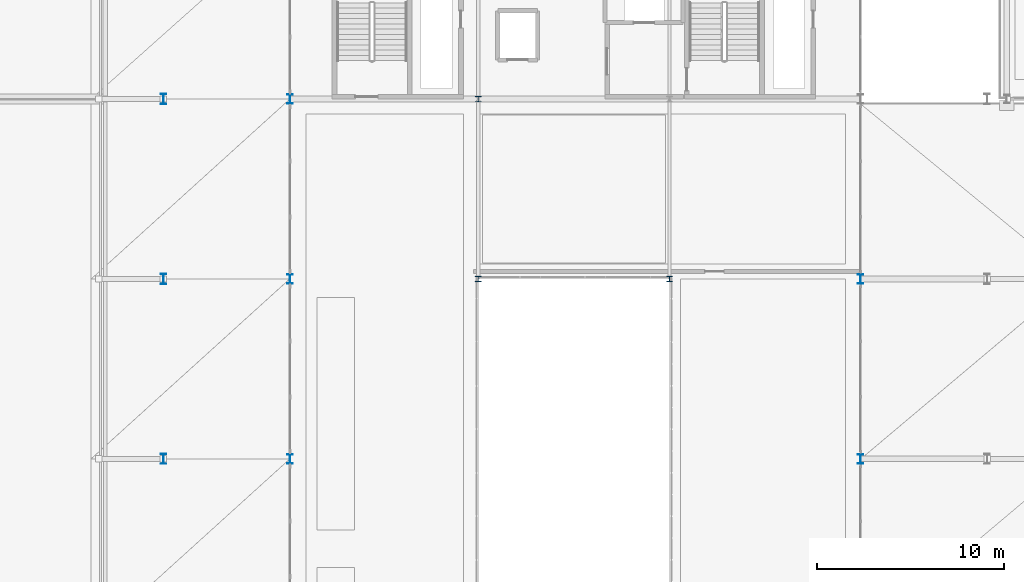
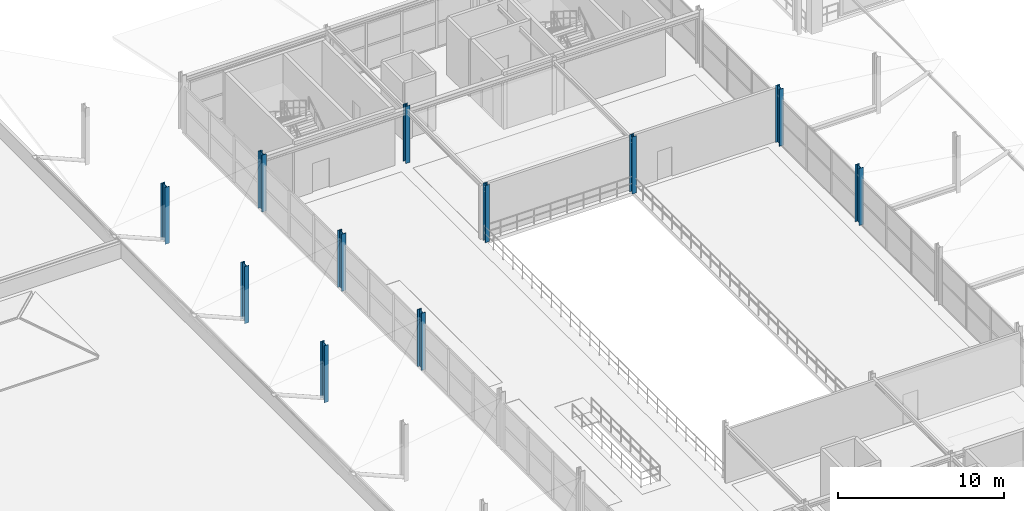
# One storey, part 5 of 81: 11 columns.
"""IFC4 building model written with IfcOpenShell, lengths in metres."""

import ifcopenshell
import ifcopenshell.guid

model = None  # the IFC model being written
_history = None  # IfcOwnerHistory: only IFC2X3 demands one
_inside = {}  # id of a spatial element -> (the spatial element, [elements in it])
_under = {}  # id of a project, library or spatial element -> (it, [spatial elements below it])
_declared = {}  # id of a project -> (the project, [libraries it declares])
_typed = {}  # id of a type object -> (the type object, [elements of that type])
_made_of = {}  # id of a material, layer set ... -> (it, [elements and type objects made of it])


def new_model(schema):
    """Start an empty IFC model of exactly this schema.

    Asked for "IFC4X3", IfcOpenShell would pick the latest addendum, in which some entities
    have other attributes; the version numbers below select the first issue.
    IFC2X3 requires an IfcOwnerHistory on every rooted entity: one is made here for all.
    """
    global model, _history
    if schema == "IFC4X3":
        model = ifcopenshell.file(schema_version=(4, 3, 0, 0))
    else:
        model = ifcopenshell.file(schema=schema)
    _inside.clear()
    _under.clear()
    _declared.clear()
    _typed.clear()
    _made_of.clear()
    _history = None
    if model.schema == "IFC2X3":
        org = make("IfcOrganization", Name="unknown")
        user = make(
            "IfcPersonAndOrganization",
            ThePerson=make("IfcPerson", FamilyName="unknown"),
            TheOrganization=org,
        )
        app = make(
            "IfcApplication",
            ApplicationDeveloper=org,
            Version="unknown",
            ApplicationFullName="unknown",
            ApplicationIdentifier="unknown",
        )
        _history = make(
            "IfcOwnerHistory",
            OwningUser=user,
            OwningApplication=app,
            ChangeAction="ADDED",
            CreationDate=0,
        )
    return model


def make(cls, **values):
    """One entity of the class cls with the attributes given. An attribute that is None is left unset."""
    return model.create_entity(
        cls, **{name: value for name, value in values.items() if value is not None}
    )


def rooted(cls, **values):
    """An entity with a GlobalId (a new one), such as an element, a storey or a relation."""
    return make(cls, GlobalId=ifcopenshell.guid.new(), OwnerHistory=_history, **values)


def si_unit(unit_type, name, prefix=None):
    """IfcSIUnit, for example si_unit("LENGTHUNIT", "METRE", prefix="MILLI")."""
    return make("IfcSIUnit", UnitType=unit_type, Prefix=prefix, Name=name)


def assignment(units):
    """IfcUnitAssignment: the units of a project."""
    return None if units is None else make("IfcUnitAssignment", Units=units)


def point(xyz):
    """IfcCartesianPoint."""
    return None if xyz is None else make("IfcCartesianPoint", Coordinates=xyz)


def direction(xyz):
    """IfcDirection."""
    return None if xyz is None else make("IfcDirection", DirectionRatios=xyz)


def frame(location, z_axis=None, x_axis=None):
    """IfcAxis2Placement3D, a coordinate frame: its origin and axes. An axis left out is left unset."""
    return make(
        "IfcAxis2Placement3D",
        Location=point(location),
        Axis=direction(z_axis),
        RefDirection=direction(x_axis),
    )


def frame_2d(location, x_axis=None):
    """IfcAxis2Placement2D, a coordinate frame in the plane: its origin and x axis."""
    return make(
        "IfcAxis2Placement2D", Location=point(location), RefDirection=direction(x_axis)
    )


def origin():
    """The frame at (0, 0, 0) with its axes left unset."""
    return frame((0.0, 0.0, 0.0))


def origin_2d():
    """The frame at (0, 0) in the plane with its x axis left unset."""
    return frame_2d((0.0, 0.0))


def place(relative_to, where):
    """IfcLocalPlacement: puts the frame where relative to a parent placement (None: the world)."""
    return make(
        "IfcLocalPlacement", PlacementRelTo=relative_to, RelativePlacement=where
    )


def context(
    kind, dimensions, precision=None, world=None, true_north=None, identifier=None
):
    """IfcGeometricRepresentationContext, for example the 3D "Model" context."""
    return make(
        "IfcGeometricRepresentationContext",
        ContextIdentifier=identifier,
        ContextType=kind,
        CoordinateSpaceDimension=dimensions,
        Precision=precision,
        WorldCoordinateSystem=world,
        TrueNorth=true_north,
    )


def subcontext(parent, identifier, kind, view, scale=None):
    """IfcGeometricRepresentationSubContext, for example "Body" below "Model"."""
    return make(
        "IfcGeometricRepresentationSubContext",
        ContextIdentifier=identifier,
        ContextType=kind,
        ParentContext=parent,
        TargetScale=scale,
        TargetView=view,
    )


def project(units=None, contexts=None):
    """IfcProject with its units and contexts."""
    return rooted(
        "IfcProject",
        Name="project",
        RepresentationContexts=contexts,
        UnitsInContext=assignment(units),
    )


def spatial(cls, under=None, at=None, **own):
    """A site, building, storey or space (cls), placed at a placement, below another one or the project."""
    s = rooted(cls, ObjectPlacement=at, **own)
    if under is not None:
        _under.setdefault(under.id(), (under, []))[1].append(s)
    return s


def profile(cls, at=None, kind="AREA", **sizes):
    """A parametric profile (cls). Its sizes go by their IFC names, for example OverallWidth=200.0."""
    return make(cls, ProfileType=kind, Position=at, **sizes)


def i_section(**sizes):
    """IfcIShapeProfileDef."""
    return profile("IfcIShapeProfileDef", **sizes)


def extrude(swept, where, along, depth):
    """IfcExtrudedAreaSolid: the profile swept, set in the frame where, extruded along a direction by depth."""
    return make(
        "IfcExtrudedAreaSolid",
        SweptArea=swept,
        Position=where,
        ExtrudedDirection=direction(along),
        Depth=depth,
    )


def shape(context_of_items, identifier, shape_type, items):
    """IfcShapeRepresentation: the items that make up one representation, for example the "Body"."""
    return make(
        "IfcShapeRepresentation",
        ContextOfItems=context_of_items,
        RepresentationIdentifier=identifier,
        RepresentationType=shape_type,
        Items=items,
    )


def material(Name=None, Category=None):
    """IfcMaterial."""
    return make("IfcMaterial", Name=Name, Category=Category)


def material_profile(
    of_material, cross_section, Name=None, Category=None, Priority=None
):
    """IfcMaterialProfile: a cross section and its material."""
    return make(
        "IfcMaterialProfile",
        Name=Name,
        Material=of_material,
        Profile=cross_section,
        Priority=Priority,
        Category=Category,
    )


def profile_set(profiles, Name=None, composite=None):
    """IfcMaterialProfileSet."""
    return make(
        "IfcMaterialProfileSet",
        Name=Name,
        MaterialProfiles=profiles,
        CompositeProfile=composite,
    )


def made_of(thing, what):
    """Note that an element or type object is made of a material, layer set ...; save() writes the relation."""
    if what is not None:
        _made_of.setdefault(what.id(), (what, []))[1].append(thing)
    return thing


def type_object(cls, material=None, **own):
    """A type object (cls), such as IfcWallType, which elements share."""
    return made_of(rooted(cls, **own), material)


def element(
    cls,
    number,
    at=None,
    inside=None,
    cuts=None,
    type_object=None,
    material=None,
    context=None,
    identifier="Body",
    shape_type=None,
    held_by="IfcProductDefinitionShape",
    body=None,
    shapes=None,
    **own,
):
    """One element of the class cls, such as IfcWall. Its Tag is "e" and its number.

    at: its placement. inside: the storey or other place that contains it. cuts: it is an
    opening in that element (IfcRelVoidsElement). A single representation is given by context,
    identifier, shape_type and body (its items); several are given by shapes. held_by: the class
    of the entity that holds the representations. save() writes the other relations.
    """
    e = rooted(cls, Tag="e%d" % number, ObjectPlacement=at, **own)
    if body is not None:
        shapes = [shape(context, identifier, shape_type, body)]
    if shapes is not None:
        e.Representation = make(held_by, Representations=shapes)
    if inside is not None:
        _inside.setdefault(inside.id(), (inside, []))[1].append(e)
    if cuts is not None:
        rooted(
            "IfcRelVoidsElement", RelatingBuildingElement=cuts, RelatedOpeningElement=e
        )
    if type_object is not None:
        _typed.setdefault(type_object.id(), (type_object, []))[1].append(e)
    return made_of(e, material)


def aggregate(whole, parts):
    """IfcRelAggregates: a whole, such as a stair, and the parts it consists of."""
    return rooted("IfcRelAggregates", RelatingObject=whole, RelatedObjects=parts)


def save(model, path):
    """Write the relations noted so far, then the file.

    IfcRelAggregates (storeys below a building ...), IfcRelContainedInSpatialStructure (elements
    in a storey), IfcRelDefinesByType, IfcRelAssociatesMaterial and IfcRelDeclares: one each for
    every whole, place, type object, material and project.
    """
    for whole, parts in _under.values():
        aggregate(whole, parts)
    for where, things in _inside.values():
        rooted(
            "IfcRelContainedInSpatialStructure",
            RelatedElements=things,
            RelatingStructure=where,
        )
    for kind, things in _typed.values():
        rooted("IfcRelDefinesByType", RelatedObjects=things, RelatingType=kind)
    for what, things in _made_of.values():
        rooted("IfcRelAssociatesMaterial", RelatedObjects=things, RelatingMaterial=what)
    for by, libraries in _declared.values():
        rooted("IfcRelDeclares", RelatingContext=by, RelatedDefinitions=libraries)
    model.write(path)


model = new_model("IFC4")

# Units and contexts
model_context = context("Model", 3, precision=1e-05, world=origin(), true_north=direction((0.0, 1.0)))
body_context = subcontext(model_context, "Body", "Model", "MODEL_VIEW")
ifc_project = project(units=[si_unit("LENGTHUNIT", "METRE"), si_unit("AREAUNIT", "SQUARE_METRE"), si_unit("VOLUMEUNIT", "CUBIC_METRE"), si_unit("PLANEANGLEUNIT", "RADIAN"), si_unit("MASSUNIT", "GRAM", prefix="KILO")], contexts=[model_context])

# Site, building, storey
site_placement = place(None, origin())
site = spatial("IfcSite", under=ifc_project, at=site_placement, CompositionType="ELEMENT")
building_placement = place(site_placement, origin())
building = spatial("IfcBuilding", under=site, at=building_placement, Name="Myrtia Square Station", CompositionType="ELEMENT")
storey_placement = place(building_placement, frame((0.0, 0.0, 10.800048828125)))
storey = spatial("IfcBuildingStorey", under=building, at=storey_placement, Name="L02", CompositionType="ELEMENT", Elevation=10.800048828125)

# Columns
ifc_material = material(Name="Steel S355", Category="steel")
ifc_material_profile_1 = material_profile(ifc_material, i_section(OverallWidth=0.300048828125, OverallDepth=0.5400390625, WebThickness=0.012451171875, FlangeThickness=0.02392578125, FilletRadius=0.027099609375, at=origin_2d()), Name="HEA 550")
ifc_profile_set_1 = profile_set([ifc_material_profile_1], Name="Steel S355")
column_type_1 = type_object("IfcColumnType", Name="COL-HEA550", PredefinedType="COLUMN", material=ifc_profile_set_1)
for number, where, z_axis, x_axis, name in (
    (1, (72.60009765625, 67.199951171875, 0.0), (0.0, 0.0, 1.0), (1.0, 0.0, 0.0), "Column L02-0332"),
    (2, (72.60009765625, 76.800048828125, 0.0), (0.0, 0.0, 1.0), (1.0, 0.0, 0.0), "Column L02-0354"),
    (3, (72.60009765625, 86.39990234375, 0.0), (0.0, 0.0, 1.0), (1.0, 0.0, 0.0), "Column L02-0376"),
):
    element("IfcColumn", number, at=place(storey_placement, frame(where, z_axis=z_axis, x_axis=x_axis)), inside=storey, type_object=column_type_1, Name=name, PredefinedType="COLUMN", context=body_context, shape_type="SweptSolid", body=[
        extrude(i_section(OverallWidth=0.300048828125, OverallDepth=0.5400390625, WebThickness=0.012451171875, FlangeThickness=0.02392578125, FilletRadius=0.027099609375, at=origin_2d()), origin(), (0.0, 0.0, 1.0), 4.199951171875),
    ])
ifc_material_profile_2 = material_profile(ifc_material, i_section(OverallWidth=0.300048828125, OverallDepth=0.300048828125, WebThickness=0.010986328125, FlangeThickness=0.01904296875, FilletRadius=0.027099609375, at=origin_2d()), Name="HEB 300")
ifc_profile_set_2 = profile_set([ifc_material_profile_2], Name="Steel S355")
column_type_2 = type_object("IfcColumnType", Name="COL-HEB300", PredefinedType="COLUMN", material=ifc_profile_set_2)
for number, where, z_axis, x_axis, name in (
    (4, (89.39990234375, 76.800048828125, 0.0), (0.0, 0.0, 1.0), (1.0, 0.0, 0.0), "Column L02-0437"),
    (5, (89.39990234375, 86.39990234375, 0.0), (0.0, 0.0, 1.0), (1.0, 0.0, 0.0), "Column L02-0442"),
    (6, (99.60009765625, 76.800048828125, 0.0), (0.0, 0.0, 1.0), (1.0, 0.0, 0.0), "Column L02-0469"),
):
    element("IfcColumn", number, at=place(storey_placement, frame(where, z_axis=z_axis, x_axis=x_axis)), inside=storey, type_object=column_type_2, Name=name, PredefinedType="COLUMN", context=body_context, shape_type="SweptSolid", body=[
        extrude(i_section(OverallWidth=0.300048828125, OverallDepth=0.300048828125, WebThickness=0.010986328125, FlangeThickness=0.01904296875, FilletRadius=0.027099609375, at=origin_2d()), origin(), (0.0, 0.0, 1.0), 4.199951171875),
    ])
ifc_material_profile_3 = material_profile(ifc_material, i_section(OverallWidth=0.300048828125, OverallDepth=0.5, WebThickness=0.014404296875, FlangeThickness=0.028076171875, FilletRadius=0.027099609375, at=origin_2d()), Name="HEB 500")
ifc_profile_set_3 = profile_set([ifc_material_profile_3], Name="Steel S355")
column_type_3 = type_object("IfcColumnType", Name="COL-HEB500", PredefinedType="COLUMN", material=ifc_profile_set_3)
for number, where, z_axis, x_axis, name in (
    (7, (79.35009765625, 67.199951171875, 0.0), (0.0, 0.0, 1.0), (1.0, 0.0, 0.0), "Column L02-0342"),
    (8, (109.800048828125, 67.199951171875, 0.0), (0.0, 0.0, 1.0), (1.0, 0.0, 0.0), "Column L02-0348"),
    (9, (79.35009765625, 76.800048828125, 0.0), (0.0, 0.0, 1.0), (1.0, 0.0, 0.0), "Column L02-0364"),
    (10, (109.800048828125, 76.800048828125, 0.0), (0.0, 0.0, 1.0), (1.0, 0.0, 0.0), "Column L02-0370"),
    (11, (79.35009765625, 86.39990234375, 0.0), (0.0, 0.0, 1.0), (1.0, 0.0, 0.0), "Column L02-0386"),
):
    element("IfcColumn", number, at=place(storey_placement, frame(where, z_axis=z_axis, x_axis=x_axis)), inside=storey, type_object=column_type_3, Name=name, PredefinedType="COLUMN", context=body_context, shape_type="SweptSolid", body=[
        extrude(i_section(OverallWidth=0.300048828125, OverallDepth=0.5, WebThickness=0.014404296875, FlangeThickness=0.028076171875, FilletRadius=0.027099609375, at=origin_2d()), origin(), (0.0, 0.0, 1.0), 4.199951171875),
    ])

save(model, "model.ifc")
